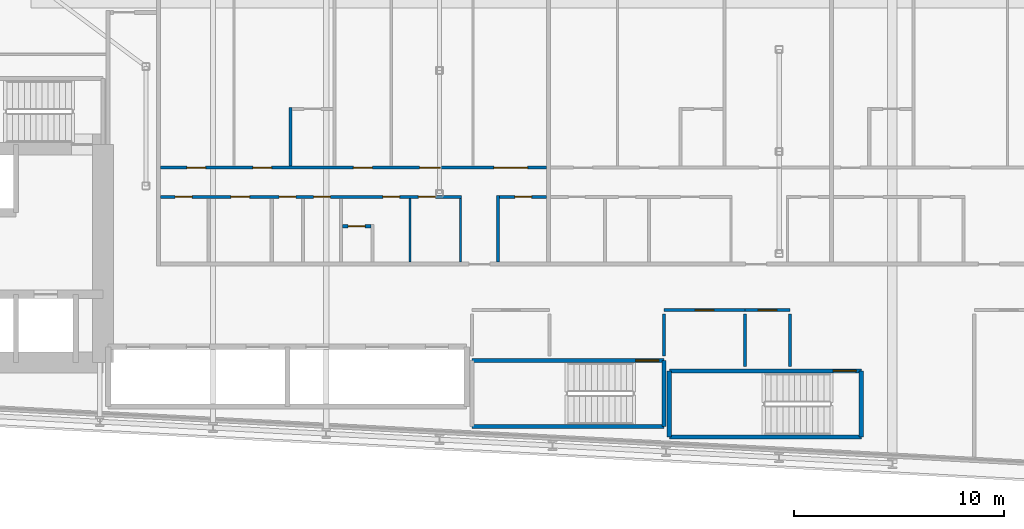
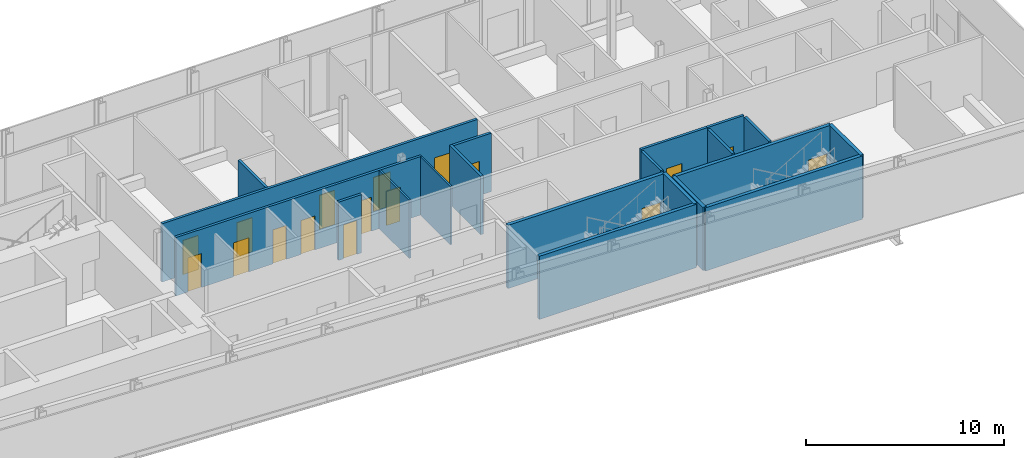
# One storey, part 16 of 29: 20 walls, 17 doors, 17 openings.
"""IFC4 building model written with IfcOpenShell, lengths in metres."""

from ifc_helpers import new_model, si_unit, direction, frame, frame_2d, origin, place, context, subcontext, project, spatial, rectangle, extrude, source, transform, mapped, material, layer, layer_set, type_object, element, fill, save


model = new_model("IFC4")

# Units and contexts
model_context = context("Model", 3, precision=1e-05, world=origin(), true_north=direction((0.0, 1.0)))
body_context = subcontext(model_context, "Body", "Model", "MODEL_VIEW")
ifc_project = project(units=[si_unit("LENGTHUNIT", "METRE"), si_unit("AREAUNIT", "SQUARE_METRE"), si_unit("VOLUMEUNIT", "CUBIC_METRE"), si_unit("PLANEANGLEUNIT", "RADIAN"), si_unit("MASSUNIT", "GRAM", prefix="KILO")], contexts=[model_context])

# Site, building, storey
site_placement = place(None, origin())
site = spatial("IfcSite", under=ifc_project, at=site_placement, CompositionType="ELEMENT")
building_placement = place(site_placement, origin())
building = spatial("IfcBuilding", under=site, at=building_placement, Name="Kheshtan School and Residences Tower", CompositionType="ELEMENT")
storey_placement = place(building_placement, frame((0.0, 0.0, 61.699951171875)))
storey = spatial("IfcBuildingStorey", under=building, at=storey_placement, Name="L14", CompositionType="ELEMENT", Elevation=61.699951171875)

# Walls
ifc_material_1 = material(Name="Gypsum board on steel studs", Category="steel")
ifc_layer_1 = layer(ifc_material_1, 0.10009765625)
ifc_layer_set_1 = layer_set([ifc_layer_1], Name="Gypsum partition 100")
wall_type_1 = type_object("IfcWallType", Name="Gypsum partition 100", PredefinedType="PARTITIONING", material=ifc_layer_set_1)
for number, where, z_axis, x_axis, name in (
    (1, (67.800048828125, 30.60009765625, 0.0), (0.0, 0.0, 1.0), (0.0, 1.0, 0.0), "Partition L14-055"),
    (2, (70.199951171875, 30.60009765625, 0.0), (0.0, 0.0, 1.0), (0.0, 1.0, 0.0), "Partition L14-056"),
):
    element("IfcWall", number, at=place(storey_placement, frame(where, z_axis=z_axis, x_axis=x_axis)), inside=storey, type_object=wall_type_1, Name=name, PredefinedType="PARTITIONING", context=body_context, shape_type="SweptSolid", body=[
        extrude(rectangle(XDim=3.02490234375, YDim=0.10009765625, at=frame_2d((1.512451171875, 0.0))), origin(), (0.0, 0.0, 1.0), 3.60009765625),
    ])

# Wall, opening, door
ifc_material_2 = material(Name="Fire-board shaft wall system")
ifc_layer_2 = layer(ifc_material_2, 0.14990234375)
ifc_layer_set_2 = layer_set([ifc_layer_2], Name="Service room wall 150")
wall_type_2 = type_object("IfcWallType", Name="Service room wall 150", PredefinedType="PARTITIONING", material=ifc_layer_set_2)
wall_1_placement = place(storey_placement, frame((79.909912109375, 28.300048828125, 0.0), z_axis=(0.0, 0.0, 1.0), x_axis=(1.0, 0.0, 0.0)))
wall_1 = element("IfcWall", 3, at=wall_1_placement, inside=storey, type_object=wall_type_2, Name="Service room wall", PredefinedType="PARTITIONING", context=body_context, shape_type="SweptSolid", body=[
    extrude(rectangle(XDim=3.864990234375, YDim=0.14990234375, at=frame_2d((1.9326171875, 0.0))), origin(), (0.0, 0.0, 1.0), 3.900146484375),
])
opening_1_placement = place(wall_1_placement, frame((1.48193359375, 0.0, 0.0)))
opening_1 = element("IfcOpeningElement", 4, at=opening_1_placement, cuts=wall_1, Name="Opening SR90", PredefinedType="OPENING", context=body_context, shape_type="SweptSolid", body=[
    extrude(rectangle(XDim=0.89990234375, YDim=2.199951171875, at=frame_2d((0.449951171875, 1.10009765625))), frame((0.0, 0.0849609375, 0.0), z_axis=(0.0, -1.0, 0.0), x_axis=(1.0, 0.0, 0.0)), (0.0, 0.0, 1.0), 0.169921875),
])
ifc_material_3 = material(Name="Steel door leaf, galvanised", Category="steel")
door_type_1 = type_object("IfcDoorType", Name="Service room door 900 steel 90 min", OperationType="SINGLE_SWING_LEFT", PredefinedType="DOOR", material=ifc_material_3)
shared_shape_1 = source(origin(), body_context, "Body", "SweptSolid", [
    extrude(rectangle(XDim=0.89990234375, YDim=2.199951171875, at=frame_2d((0.449951171875, 1.10009765625))), frame((0.0, 0.02490234375, 0.0), z_axis=(0.0, -1.0, 0.0), x_axis=(1.0, 0.0, 0.0)), (0.0, 0.0, 1.0), 0.050048828125),
])
door_1_placement = place(opening_1_placement, origin())
door_1 = element("IfcDoor", 5, at=door_1_placement, inside=storey, type_object=door_type_1, Name="Service room door", OperationType="SINGLE_SWING_RIGHT", OverallHeight=2.199951171875, OverallWidth=0.89990234375, PredefinedType="DOOR", context=body_context, shape_type="MappedRepresentation", body=[
    mapped(shared_shape_1, transform((0.0, 0.0, 0.0), x_axis=(1.0, 0.0, 0.0), y_axis=(0.0, 1.0, 0.0), z_axis=(0.0, 0.0, 1.0), scale=1.0)),
])
fill(opening_1, door_1)

# Walls
wall_2_placement = place(storey_placement, frame((79.909912109375, 26.1201171875, 0.0), z_axis=(0.0, 0.0, 1.0), x_axis=(0.0, 1.0, 0.0)))
element("IfcWall", 6, at=wall_2_placement, inside=storey, type_object=wall_type_2, Name="Service room wall", PredefinedType="PARTITIONING", context=body_context, shape_type="SweptSolid", body=[
    extrude(rectangle(XDim=1.98486328125, YDim=0.14990234375, at=frame_2d((0.992431640625, 0.0))), origin(), (0.0, 0.0, 1.0), 3.900146484375),
])
wall_3_placement = place(storey_placement, frame((83.77490234375, 25.6201171875, 0.0), z_axis=(0.0, 0.0, 1.0), x_axis=(0.0, 1.0, 0.0)))
element("IfcWall", 7, at=wall_3_placement, inside=storey, type_object=wall_type_2, Name="Service room wall", PredefinedType="PARTITIONING", context=body_context, shape_type="SweptSolid", body=[
    extrude(rectangle(XDim=2.48486328125, YDim=0.14990234375, at=frame_2d((1.242431640625, 0.0))), origin(), (0.0, 0.0, 1.0), 3.900146484375),
])

# Wall, opening, door
wall_4_placement = place(storey_placement, frame((83.77490234375, 28.300048828125, 0.0), z_axis=(0.0, 0.0, 1.0), x_axis=(1.0, 0.0, 0.0)))
wall_4 = element("IfcWall", 8, at=wall_4_placement, inside=storey, type_object=wall_type_2, Name="Service room wall", PredefinedType="PARTITIONING", context=body_context, shape_type="SweptSolid", body=[
    extrude(rectangle(XDim=2.14501953125, YDim=0.14990234375, at=frame_2d((1.072509765625, 0.0))), origin(), (0.0, 0.0, 1.0), 3.900146484375),
])
opening_2_placement = place(wall_4_placement, frame((0.623046875, 0.0, 0.0)))
opening_2 = element("IfcOpeningElement", 9, at=opening_2_placement, cuts=wall_4, Name="Opening SR90", PredefinedType="OPENING", context=body_context, shape_type="SweptSolid", body=[
    extrude(rectangle(XDim=0.89990234375, YDim=2.199951171875, at=frame_2d((0.449951171875, 1.10009765625))), frame((0.0, 0.0849609375, 0.0), z_axis=(0.0, -1.0, 0.0), x_axis=(1.0, 0.0, 0.0)), (0.0, 0.0, 1.0), 0.169921875),
])
door_2_placement = place(opening_2_placement, origin())
door_2 = element("IfcDoor", 10, at=door_2_placement, inside=storey, type_object=door_type_1, Name="Service room door", OperationType="SINGLE_SWING_LEFT", OverallHeight=2.199951171875, OverallWidth=0.89990234375, PredefinedType="DOOR", context=body_context, shape_type="MappedRepresentation", body=[
    mapped(shared_shape_1, transform((0.0, 0.0, 0.0), x_axis=(1.0, 0.0, 0.0), y_axis=(0.0, 1.0, 0.0), z_axis=(0.0, 0.0, 1.0), scale=1.0)),
])
fill(opening_2, door_2)

# Walls
wall_5_placement = place(storey_placement, frame((85.919921875, 25.6201171875, 0.0), z_axis=(0.0, 0.0, 1.0), x_axis=(0.0, 1.0, 0.0)))
element("IfcWall", 11, at=wall_5_placement, inside=storey, type_object=wall_type_2, Name="Service room wall", PredefinedType="PARTITIONING", context=body_context, shape_type="SweptSolid", body=[
    extrude(rectangle(XDim=2.48486328125, YDim=0.14990234375, at=frame_2d((1.242431640625, 0.0))), origin(), (0.0, 0.0, 1.0), 3.900146484375),
])
ifc_material_4 = material(Name="Concrete C40/50", Category="concrete")
ifc_layer_3 = layer(ifc_material_4, 0.199951171875)
ifc_layer_set_3 = layer_set([ifc_layer_3], Name="Stair enclosure wall 200 Concrete C40/50")
wall_type_3 = type_object("IfcWallType", Name="Stair enclosure wall 200 Concrete C40/50", PredefinedType="SHEAR", material=ifc_layer_set_3)
wall_6_placement = place(storey_placement, frame((80.159912109375, 22.25, 0.0), z_axis=(0.0, 0.0, 1.0), x_axis=(1.0, 0.0, 0.0)))
element("IfcWall", 12, at=wall_6_placement, inside=storey, type_object=wall_type_3, Name="Stair enclosure wall ST4", PredefinedType="SHEAR", context=body_context, shape_type="SweptSolid", body=[
    extrude(rectangle(XDim=9.16015625, YDim=0.199951171875, at=frame_2d((4.580078125, 0.0))), origin(), (0.0, 0.0, 1.0), 3.900146484375),
])

# Wall, opening, door
wall_7_placement = place(storey_placement, frame((80.159912109375, 25.39990234375, 0.0), z_axis=(0.0, 0.0, 1.0), x_axis=(1.0, 0.0, 0.0)))
wall_7 = element("IfcWall", 13, at=wall_7_placement, inside=storey, type_object=wall_type_3, Name="Stair enclosure wall ST4", PredefinedType="SHEAR", context=body_context, shape_type="SweptSolid", body=[
    extrude(rectangle(XDim=9.16015625, YDim=0.199951171875, at=frame_2d((4.580078125, 0.0))), origin(), (0.0, 0.0, 1.0), 3.900146484375),
])
opening_3_placement = place(wall_7_placement, frame((7.81005859375, 0.0, 0.0)))
opening_3 = element("IfcOpeningElement", 14, at=opening_3_placement, cuts=wall_7, Name="Opening ST4D", PredefinedType="OPENING", context=body_context, shape_type="SweptSolid", body=[
    extrude(rectangle(XDim=1.10009765625, YDim=2.199951171875, at=frame_2d((0.550048828125, 1.10009765625))), frame((0.0, 0.10986328125, 0.0), z_axis=(0.0, -1.0, 0.0), x_axis=(1.0, 0.0, 0.0)), (0.0, 0.0, 1.0), 0.219970703125),
])
door_type_2 = type_object("IfcDoorType", Name="Stair door 1100 steel 90 min", OperationType="SINGLE_SWING_LEFT", PredefinedType="DOOR", material=ifc_material_3)
shared_shape_2 = source(origin(), body_context, "Body", "SweptSolid", [
    extrude(rectangle(XDim=1.10009765625, YDim=2.199951171875, at=frame_2d((0.550048828125, 1.10009765625))), frame((0.0, 0.02490234375, 0.0), z_axis=(0.0, -1.0, 0.0), x_axis=(1.0, 0.0, 0.0)), (0.0, 0.0, 1.0), 0.050048828125),
])
door_3_placement = place(opening_3_placement, origin())
door_3 = element("IfcDoor", 15, at=door_3_placement, inside=storey, type_object=door_type_2, Name="Stair ST4 door", OperationType="SINGLE_SWING_LEFT", OverallHeight=2.199951171875, OverallWidth=1.10009765625, PredefinedType="DOOR", context=body_context, shape_type="MappedRepresentation", body=[
    mapped(shared_shape_2, transform((0.0, 0.0, 0.0), x_axis=(1.0, 0.0, 0.0), y_axis=(0.0, 1.0, 0.0), z_axis=(0.0, 0.0, 1.0), scale=1.0)),
])
fill(opening_3, door_3)

# Walls
for number, where, z_axis, x_axis, name in (
    (16, (80.159912109375, 22.25, 0.0), (0.0, 0.0, 1.0), (0.0, 1.0, 0.0), "Stair enclosure wall ST4"),
    (17, (89.320068359375, 22.25, 0.0), (0.0, 0.0, 1.0), (0.0, 1.0, 0.0), "Stair enclosure wall ST4"),
):
    element("IfcWall", number, at=place(storey_placement, frame(where, z_axis=z_axis, x_axis=x_axis)), inside=storey, type_object=wall_type_3, Name=name, PredefinedType="SHEAR", context=body_context, shape_type="SweptSolid", body=[
        extrude(rectangle(XDim=3.14990234375, YDim=0.199951171875, at=frame_2d((1.574951171875, 0.0))), origin(), (0.0, 0.0, 1.0), 3.900146484375),
    ])
wall_8_placement = place(storey_placement, frame((70.75, 22.75, 0.0), z_axis=(0.0, 0.0, 1.0), x_axis=(1.0, 0.0, 0.0)))
element("IfcWall", 18, at=wall_8_placement, inside=storey, type_object=wall_type_3, Name="Stair enclosure wall ST5", PredefinedType="SHEAR", context=body_context, shape_type="SweptSolid", body=[
    extrude(rectangle(XDim=9.159912109375, YDim=0.199951171875, at=frame_2d((4.580078125, 0.0))), origin(), (0.0, 0.0, 1.0), 3.900146484375),
])

# Wall, opening, door
wall_9_placement = place(storey_placement, frame((70.75, 25.89990234375, 0.0), z_axis=(0.0, 0.0, 1.0), x_axis=(1.0, 0.0, 0.0)))
wall_9 = element("IfcWall", 19, at=wall_9_placement, inside=storey, type_object=wall_type_3, Name="Stair enclosure wall ST5", PredefinedType="SHEAR", context=body_context, shape_type="SweptSolid", body=[
    extrude(rectangle(XDim=9.159912109375, YDim=0.199951171875, at=frame_2d((4.580078125, 0.0))), origin(), (0.0, 0.0, 1.0), 3.900146484375),
])
opening_4_placement = place(wall_9_placement, frame((7.81005859375, 0.0, 0.0)))
opening_4 = element("IfcOpeningElement", 20, at=opening_4_placement, cuts=wall_9, Name="Opening ST5D", PredefinedType="OPENING", context=body_context, shape_type="SweptSolid", body=[
    extrude(rectangle(XDim=1.10009765625, YDim=2.199951171875, at=frame_2d((0.550048828125, 1.10009765625))), frame((0.0, 0.10986328125, 0.0), z_axis=(0.0, -1.0, 0.0), x_axis=(1.0, 0.0, 0.0)), (0.0, 0.0, 1.0), 0.219970703125),
])
door_4_placement = place(opening_4_placement, origin())
door_4 = element("IfcDoor", 21, at=door_4_placement, inside=storey, type_object=door_type_2, Name="Stair ST5 door", OperationType="SINGLE_SWING_LEFT", OverallHeight=2.199951171875, OverallWidth=1.10009765625, PredefinedType="DOOR", context=body_context, shape_type="MappedRepresentation", body=[
    mapped(shared_shape_2, transform((0.0, 0.0, 0.0), x_axis=(1.0, 0.0, 0.0), y_axis=(0.0, 1.0, 0.0), z_axis=(0.0, 0.0, 1.0), scale=1.0)),
])
fill(opening_4, door_4)

# Wall
wall_10_placement = place(storey_placement, frame((79.909912109375, 22.75, 0.0), z_axis=(0.0, 0.0, 1.0), x_axis=(0.0, 1.0, 0.0)))
element("IfcWall", 22, at=wall_10_placement, inside=storey, type_object=wall_type_3, Name="Stair enclosure wall ST5", PredefinedType="SHEAR", context=body_context, shape_type="SweptSolid", body=[
    extrude(rectangle(XDim=3.14990234375, YDim=0.199951171875, at=frame_2d((1.574951171875, 0.0))), origin(), (0.0, 0.0, 1.0), 3.900146484375),
])

# Wall, openings, doors
ifc_material_5 = material(Name="Moisture-resistant gypsum board on steel studs", Category="steel")
ifc_layer_4 = layer(ifc_material_5, 0.14990234375)
ifc_layer_set_4 = layer_set([ifc_layer_4], Name="Wet-room partition 150")
wall_type_4 = type_object("IfcWallType", Name="Wet-room partition 150", PredefinedType="PARTITIONING", material=ifc_layer_set_4)
wall_11_placement = place(storey_placement, frame((55.89990234375, 33.699951171875, 0.0), z_axis=(0.0, 0.0, 1.0), x_axis=(1.0, 0.0, 0.0)))
wall_11 = element("IfcWall", 23, at=wall_11_placement, inside=storey, type_object=wall_type_4, Name="Partition L14-042", PredefinedType="PARTITIONING", context=body_context, shape_type="SweptSolid", body=[
    extrude(rectangle(XDim=14.35009765625, YDim=0.14990234375, at=frame_2d((7.175048828125, 0.0))), origin(), (0.0, 0.0, 1.0), 3.60009765625),
])
opening_5_placement = place(wall_11_placement, frame((0.699951171875, 0.0, 0.0)))
opening_5 = element("IfcOpeningElement", 24, at=opening_5_placement, cuts=wall_11, Name="Opening D14-001", PredefinedType="OPENING", context=body_context, shape_type="SweptSolid", body=[
    extrude(rectangle(XDim=0.800048828125, YDim=2.10009765625, at=frame_2d((0.39990234375, 1.050048828125))), frame((0.0, 0.0849609375, 0.0), z_axis=(0.0, -1.0, 0.0), x_axis=(1.0, 0.0, 0.0)), (0.0, 0.0, 1.0), 0.169921875),
])
opening_6_placement = place(wall_11_placement, frame((12.300048828125, 0.0, 0.0)))
opening_6 = element("IfcOpeningElement", 25, at=opening_6_placement, cuts=wall_11, Name="Opening D14-005", PredefinedType="OPENING", context=body_context, shape_type="SweptSolid", body=[
    extrude(rectangle(XDim=0.800048828125, YDim=2.10009765625, at=frame_2d((0.39990234375, 1.050048828125))), frame((0.0, 0.0849609375, 0.0), z_axis=(0.0, -1.0, 0.0), x_axis=(1.0, 0.0, 0.0)), (0.0, 0.0, 1.0), 0.169921875),
])
opening_7_placement = place(wall_11_placement, frame((3.35009765625, 0.0, 0.0)))
opening_7 = element("IfcOpeningElement", 26, at=opening_7_placement, cuts=wall_11, Name="Opening D14-008", PredefinedType="OPENING", context=body_context, shape_type="SweptSolid", body=[
    extrude(rectangle(XDim=0.89990234375, YDim=2.10009765625, at=frame_2d((0.449951171875, 1.050048828125))), frame((0.0, 0.0849609375, 0.0), z_axis=(0.0, -1.0, 0.0), x_axis=(1.0, 0.0, 0.0)), (0.0, 0.0, 1.0), 0.169921875),
])
opening_8_placement = place(wall_11_placement, frame((10.60009765625, 0.0, 0.0)))
opening_8 = element("IfcOpeningElement", 27, at=opening_8_placement, cuts=wall_11, Name="Opening D14-010", PredefinedType="OPENING", context=body_context, shape_type="SweptSolid", body=[
    extrude(rectangle(XDim=0.800048828125, YDim=2.10009765625, at=frame_2d((0.39990234375, 1.050048828125))), frame((0.0, 0.0849609375, 0.0), z_axis=(0.0, -1.0, 0.0), x_axis=(1.0, 0.0, 0.0)), (0.0, 0.0, 1.0), 0.169921875),
])
opening_9_placement = place(wall_11_placement, frame((7.300048828125, 0.0, 0.0)))
opening_9 = element("IfcOpeningElement", 28, at=opening_9_placement, cuts=wall_11, Name="Opening D14-014", PredefinedType="OPENING", context=body_context, shape_type="SweptSolid", body=[
    extrude(rectangle(XDim=0.800048828125, YDim=2.10009765625, at=frame_2d((0.39990234375, 1.050048828125))), frame((0.0, 0.0849609375, 0.0), z_axis=(0.0, -1.0, 0.0), x_axis=(1.0, 0.0, 0.0)), (0.0, 0.0, 1.0), 0.169921875),
])
opening_10_placement = place(wall_11_placement, frame((5.64990234375, 0.0, 0.0)))
opening_10 = element("IfcOpeningElement", 29, at=opening_10_placement, cuts=wall_11, Name="Opening D14-015", PredefinedType="OPENING", context=body_context, shape_type="SweptSolid", body=[
    extrude(rectangle(XDim=0.800048828125, YDim=2.10009765625, at=frame_2d((0.39990234375, 1.050048828125))), frame((0.0, 0.0849609375, 0.0), z_axis=(0.0, -1.0, 0.0), x_axis=(1.0, 0.0, 0.0)), (0.0, 0.0, 1.0), 0.169921875),
])
ifc_material_6 = material(Name="Veneered timber door leaf", Category="wood")
door_type_3 = type_object("IfcDoorType", Name="Door 800 x 2100", OperationType="SINGLE_SWING_LEFT", PredefinedType="DOOR", material=ifc_material_6)
shared_shape_3 = source(origin(), body_context, "Body", "SweptSolid", [
    extrude(rectangle(XDim=0.800048828125, YDim=2.10009765625, at=frame_2d((0.39990234375, 1.050048828125))), frame((0.0, 0.02490234375, 0.0), z_axis=(0.0, -1.0, 0.0), x_axis=(1.0, 0.0, 0.0)), (0.0, 0.0, 1.0), 0.050048828125),
])
door_5_placement = place(opening_5_placement, origin())
door_5 = element("IfcDoor", 30, at=door_5_placement, inside=storey, type_object=door_type_3, Name="Door D14-001", OperationType="SINGLE_SWING_RIGHT", OverallHeight=2.10009765625, OverallWidth=0.800048828125, PredefinedType="DOOR", context=body_context, shape_type="MappedRepresentation", body=[
    mapped(shared_shape_3, transform((0.0, 0.0, 0.0), x_axis=(1.0, 0.0, 0.0), y_axis=(0.0, 1.0, 0.0), z_axis=(0.0, 0.0, 1.0), scale=1.0)),
])
fill(opening_5, door_5)
door_6_placement = place(opening_6_placement, origin())
door_6 = element("IfcDoor", 31, at=door_6_placement, inside=storey, type_object=door_type_3, Name="Door D14-005", OperationType="SINGLE_SWING_RIGHT", OverallHeight=2.10009765625, OverallWidth=0.800048828125, PredefinedType="DOOR", context=body_context, shape_type="MappedRepresentation", body=[
    mapped(shared_shape_3, transform((0.0, 0.0, 0.0), x_axis=(1.0, 0.0, 0.0), y_axis=(0.0, 1.0, 0.0), z_axis=(0.0, 0.0, 1.0), scale=1.0)),
])
fill(opening_6, door_6)
door_7_placement = place(opening_8_placement, origin())
door_7 = element("IfcDoor", 32, at=door_7_placement, inside=storey, type_object=door_type_3, Name="Door D14-010", OperationType="SINGLE_SWING_LEFT", OverallHeight=2.10009765625, OverallWidth=0.800048828125, PredefinedType="DOOR", context=body_context, shape_type="MappedRepresentation", body=[
    mapped(shared_shape_3, transform((0.0, 0.0, 0.0), x_axis=(1.0, 0.0, 0.0), y_axis=(0.0, 1.0, 0.0), z_axis=(0.0, 0.0, 1.0), scale=1.0)),
])
fill(opening_8, door_7)
door_8_placement = place(opening_9_placement, origin())
door_8 = element("IfcDoor", 33, at=door_8_placement, inside=storey, type_object=door_type_3, Name="Door D14-014", OperationType="SINGLE_SWING_RIGHT", OverallHeight=2.10009765625, OverallWidth=0.800048828125, PredefinedType="DOOR", context=body_context, shape_type="MappedRepresentation", body=[
    mapped(shared_shape_3, transform((0.0, 0.0, 0.0), x_axis=(1.0, 0.0, 0.0), y_axis=(0.0, 1.0, 0.0), z_axis=(0.0, 0.0, 1.0), scale=1.0)),
])
fill(opening_9, door_8)
door_9_placement = place(opening_10_placement, origin())
door_9 = element("IfcDoor", 34, at=door_9_placement, inside=storey, type_object=door_type_3, Name="Door D14-015", OperationType="SINGLE_SWING_LEFT", OverallHeight=2.10009765625, OverallWidth=0.800048828125, PredefinedType="DOOR", context=body_context, shape_type="MappedRepresentation", body=[
    mapped(shared_shape_3, transform((0.0, 0.0, 0.0), x_axis=(1.0, 0.0, 0.0), y_axis=(0.0, 1.0, 0.0), z_axis=(0.0, 0.0, 1.0), scale=1.0)),
])
fill(opening_10, door_9)
door_type_4 = type_object("IfcDoorType", Name="Door 900 x 2100", OperationType="SINGLE_SWING_LEFT", PredefinedType="DOOR", material=ifc_material_6)
shared_shape_4 = source(origin(), body_context, "Body", "SweptSolid", [
    extrude(rectangle(XDim=0.89990234375, YDim=2.10009765625, at=frame_2d((0.449951171875, 1.050048828125))), frame((0.0, 0.02490234375, 0.0), z_axis=(0.0, -1.0, 0.0), x_axis=(1.0, 0.0, 0.0)), (0.0, 0.0, 1.0), 0.050048828125),
])
door_10_placement = place(opening_7_placement, origin())
door_10 = element("IfcDoor", 35, at=door_10_placement, inside=storey, type_object=door_type_4, Name="Door D14-008", OperationType="SINGLE_SWING_LEFT", OverallHeight=2.10009765625, OverallWidth=0.89990234375, PredefinedType="DOOR", context=body_context, shape_type="MappedRepresentation", body=[
    mapped(shared_shape_4, transform((0.0, 0.0, 0.0), x_axis=(1.0, 0.0, 0.0), y_axis=(0.0, 1.0, 0.0), z_axis=(0.0, 0.0, 1.0), scale=1.0)),
])
fill(opening_7, door_10)

wall_12_placement = place(storey_placement, frame((55.89990234375, 35.10009765625, 0.0), z_axis=(0.0, 0.0, 1.0), x_axis=(1.0, 0.0, 0.0)))
wall_12 = element("IfcWall", 36, at=wall_12_placement, inside=storey, type_object=wall_type_4, Name="Partition L14-043", PredefinedType="PARTITIONING", context=body_context, shape_type="SweptSolid", body=[
    extrude(rectangle(XDim=18.400146484375, YDim=0.14990234375, at=frame_2d((9.2001953125, 0.0))), origin(), (0.0, 0.0, 1.0), 3.60009765625),
])
opening_11_placement = place(wall_12_placement, frame((1.25, 0.0, 0.0)))
opening_11 = element("IfcOpeningElement", 37, at=opening_11_placement, cuts=wall_12, Name="Opening D14-003", PredefinedType="OPENING", context=body_context, shape_type="SweptSolid", body=[
    extrude(rectangle(XDim=0.89990234375, YDim=2.10009765625, at=frame_2d((0.449951171875, 1.050048828125))), frame((0.0, 0.0849609375, 0.0), z_axis=(0.0, -1.0, 0.0), x_axis=(1.0, 0.0, 0.0)), (0.0, 0.0, 1.0), 0.169921875),
])
opening_12_placement = place(wall_12_placement, frame((9.199951171875, 0.0, 0.0)))
opening_12 = element("IfcOpeningElement", 38, at=opening_12_placement, cuts=wall_12, Name="Opening D14-004", PredefinedType="OPENING", context=body_context, shape_type="SweptSolid", body=[
    extrude(rectangle(XDim=0.89990234375, YDim=2.10009765625, at=frame_2d((0.449951171875, 1.050048828125))), frame((0.0, 0.0849609375, 0.0), z_axis=(0.0, -1.0, 0.0), x_axis=(1.0, 0.0, 0.0)), (0.0, 0.0, 1.0), 0.169921875),
])
opening_13_placement = place(wall_12_placement, frame((12.35009765625, 0.0, 0.0)))
opening_13 = element("IfcOpeningElement", 39, at=opening_13_placement, cuts=wall_12, Name="Opening D14-009", PredefinedType="OPENING", context=body_context, shape_type="SweptSolid", body=[
    extrude(rectangle(XDim=1.0, YDim=2.10009765625, at=frame_2d((0.5, 1.050048828125))), frame((0.0, 0.0849609375, 0.0), z_axis=(0.0, -1.0, 0.0), x_axis=(1.0, 0.0, 0.0)), (0.0, 0.0, 1.0), 0.169921875),
])
opening_14_placement = place(wall_12_placement, frame((15.89990234375, 0.0, 0.0)))
opening_14 = element("IfcOpeningElement", 40, at=opening_14_placement, cuts=wall_12, Name="Opening D14-012", PredefinedType="OPENING", context=body_context, shape_type="SweptSolid", body=[
    extrude(rectangle(XDim=1.60009765625, YDim=2.10009765625, at=frame_2d((0.800048828125, 1.050048828125))), frame((0.0, 0.0849609375, 0.0), z_axis=(0.0, -1.0, 0.0), x_axis=(1.0, 0.0, 0.0)), (0.0, 0.0, 1.0), 0.169921875),
])
opening_15_placement = place(wall_12_placement, frame((4.39990234375, 0.0, 0.0)))
opening_15 = element("IfcOpeningElement", 41, at=opening_15_placement, cuts=wall_12, Name="Opening D14-013", PredefinedType="OPENING", context=body_context, shape_type="SweptSolid", body=[
    extrude(rectangle(XDim=0.89990234375, YDim=2.10009765625, at=frame_2d((0.449951171875, 1.050048828125))), frame((0.0, 0.0849609375, 0.0), z_axis=(0.0, -1.0, 0.0), x_axis=(1.0, 0.0, 0.0)), (0.0, 0.0, 1.0), 0.169921875),
])
door_type_5 = type_object("IfcDoorType", Name="Door 1000 x 2100", OperationType="SINGLE_SWING_LEFT", PredefinedType="DOOR", material=ifc_material_6)
shared_shape_5 = source(origin(), body_context, "Body", "SweptSolid", [
    extrude(rectangle(XDim=1.0, YDim=2.10009765625, at=frame_2d((0.5, 1.050048828125))), frame((0.0, 0.02490234375, 0.0), z_axis=(0.0, -1.0, 0.0), x_axis=(1.0, 0.0, 0.0)), (0.0, 0.0, 1.0), 0.050048828125),
])
door_11_placement = place(opening_13_placement, origin())
door_11 = element("IfcDoor", 42, at=door_11_placement, inside=storey, type_object=door_type_5, Name="Door D14-009", OperationType="SINGLE_SWING_LEFT", OverallHeight=2.10009765625, OverallWidth=1.0, PredefinedType="DOOR", context=body_context, shape_type="MappedRepresentation", body=[
    mapped(shared_shape_5, transform((0.0, 0.0, 0.0), x_axis=(1.0, 0.0, 0.0), y_axis=(0.0, 1.0, 0.0), z_axis=(0.0, 0.0, 1.0), scale=1.0)),
])
fill(opening_13, door_11)
door_12_placement = place(opening_11_placement, origin())
door_12 = element("IfcDoor", 43, at=door_12_placement, inside=storey, type_object=door_type_4, Name="Door D14-003", OperationType="SINGLE_SWING_LEFT", OverallHeight=2.10009765625, OverallWidth=0.89990234375, PredefinedType="DOOR", context=body_context, shape_type="MappedRepresentation", body=[
    mapped(shared_shape_4, transform((0.0, 0.0, 0.0), x_axis=(1.0, 0.0, 0.0), y_axis=(0.0, 1.0, 0.0), z_axis=(0.0, 0.0, 1.0), scale=1.0)),
])
fill(opening_11, door_12)
door_13_placement = place(opening_12_placement, origin())
door_13 = element("IfcDoor", 44, at=door_13_placement, inside=storey, type_object=door_type_4, Name="Door D14-004", OperationType="SINGLE_SWING_RIGHT", OverallHeight=2.10009765625, OverallWidth=0.89990234375, PredefinedType="DOOR", context=body_context, shape_type="MappedRepresentation", body=[
    mapped(shared_shape_4, transform((0.0, 0.0, 0.0), x_axis=(1.0, 0.0, 0.0), y_axis=(0.0, 1.0, 0.0), z_axis=(0.0, 0.0, 1.0), scale=1.0)),
])
fill(opening_12, door_13)
door_14_placement = place(opening_15_placement, origin())
door_14 = element("IfcDoor", 45, at=door_14_placement, inside=storey, type_object=door_type_4, Name="Door D14-013", OperationType="SINGLE_SWING_LEFT", OverallHeight=2.10009765625, OverallWidth=0.89990234375, PredefinedType="DOOR", context=body_context, shape_type="MappedRepresentation", body=[
    mapped(shared_shape_4, transform((0.0, 0.0, 0.0), x_axis=(1.0, 0.0, 0.0), y_axis=(0.0, 1.0, 0.0), z_axis=(0.0, 0.0, 1.0), scale=1.0)),
])
fill(opening_15, door_14)
door_type_6 = type_object("IfcDoorType", Name="Double door 1600 x 2100", OperationType="DOUBLE_DOOR_SINGLE_SWING", PredefinedType="DOOR", material=ifc_material_6)
shared_shape_6 = source(origin(), body_context, "Body", "SweptSolid", [
    extrude(rectangle(XDim=1.60009765625, YDim=2.10009765625, at=frame_2d((0.800048828125, 1.050048828125))), frame((0.0, 0.02490234375, 0.0), z_axis=(0.0, -1.0, 0.0), x_axis=(1.0, 0.0, 0.0)), (0.0, 0.0, 1.0), 0.050048828125),
])
door_15_placement = place(opening_14_placement, origin())
door_15 = element("IfcDoor", 46, at=door_15_placement, inside=storey, type_object=door_type_6, Name="Door D14-012", OperationType="DOUBLE_DOOR_SINGLE_SWING", OverallHeight=2.10009765625, OverallWidth=1.60009765625, PredefinedType="DOOR", context=body_context, shape_type="MappedRepresentation", body=[
    mapped(shared_shape_6, transform((0.0, 0.0, 0.0), x_axis=(1.0, 0.0, 0.0), y_axis=(0.0, 1.0, 0.0), z_axis=(0.0, 0.0, 1.0), scale=1.0)),
])
fill(opening_14, door_15)

# Wall
wall_13_placement = place(storey_placement, frame((62.10009765625, 35.175048828125, 0.0), z_axis=(0.0, 0.0, 1.0), x_axis=(0.0, 1.0, 0.0)))
element("IfcWall", 47, at=wall_13_placement, inside=storey, type_object=wall_type_4, Name="Partition L14-047", PredefinedType="PARTITIONING", context=body_context, shape_type="SweptSolid", body=[
    extrude(rectangle(XDim=2.800048828125, YDim=0.14990234375, at=frame_2d((1.39990234375, 0.0))), origin(), (0.0, 0.0, 1.0), 3.60009765625),
])

# Wall, opening, door
wall_14_placement = place(storey_placement, frame((64.574951171875, 32.300048828125, 0.0), z_axis=(0.0, 0.0, 1.0), x_axis=(1.0, 0.0, 0.0)))
wall_14 = element("IfcWall", 48, at=wall_14_placement, inside=storey, type_object=wall_type_4, Name="Partition L14-052", PredefinedType="PARTITIONING", context=body_context, shape_type="SweptSolid", body=[
    extrude(rectangle(XDim=1.35009765625, YDim=0.14990234375, at=frame_2d((0.675048828125, 0.0))), origin(), (0.0, 0.0, 1.0), 3.60009765625),
])
opening_16_placement = place(wall_14_placement, frame((0.27490234375, 0.0, 0.0)))
opening_16 = element("IfcOpeningElement", 49, at=opening_16_placement, cuts=wall_14, Name="Opening D14-011", PredefinedType="OPENING", context=body_context, shape_type="SweptSolid", body=[
    extrude(rectangle(XDim=0.800048828125, YDim=2.10009765625, at=frame_2d((0.39990234375, 1.050048828125))), frame((0.0, 0.0849609375, 0.0), z_axis=(0.0, -1.0, 0.0), x_axis=(1.0, 0.0, 0.0)), (0.0, 0.0, 1.0), 0.169921875),
])
door_16_placement = place(opening_16_placement, origin())
door_16 = element("IfcDoor", 50, at=door_16_placement, inside=storey, type_object=door_type_3, Name="Door D14-011", OperationType="SINGLE_SWING_RIGHT", OverallHeight=2.10009765625, OverallWidth=0.800048828125, PredefinedType="DOOR", context=body_context, shape_type="MappedRepresentation", body=[
    mapped(shared_shape_3, transform((0.0, 0.0, 0.0), x_axis=(1.0, 0.0, 0.0), y_axis=(0.0, 1.0, 0.0), z_axis=(0.0, 0.0, 1.0), scale=1.0)),
])
fill(opening_16, door_16)

# Wall
wall_15_placement = place(storey_placement, frame((72.0, 30.60009765625, 0.0), z_axis=(0.0, 0.0, 1.0), x_axis=(0.0, 1.0, 0.0)))
element("IfcWall", 51, at=wall_15_placement, inside=storey, type_object=wall_type_4, Name="Partition L14-058", PredefinedType="PARTITIONING", context=body_context, shape_type="SweptSolid", body=[
    extrude(rectangle(XDim=3.1748046875, YDim=0.14990234375, at=frame_2d((1.58740234375, 0.0))), origin(), (0.0, 0.0, 1.0), 3.60009765625),
])

# Wall, opening, door
wall_16_placement = place(storey_placement, frame((72.074951171875, 33.699951171875, 0.0), z_axis=(0.0, 0.0, 1.0), x_axis=(1.0, 0.0, 0.0)))
wall_16 = element("IfcWall", 52, at=wall_16_placement, inside=storey, type_object=wall_type_4, Name="Partition L14-059", PredefinedType="PARTITIONING", context=body_context, shape_type="SweptSolid", body=[
    extrude(rectangle(XDim=2.22509765625, YDim=0.14990234375, at=frame_2d((1.112548828125, 0.0))), origin(), (0.0, 0.0, 1.0), 3.60009765625),
])
opening_17_placement = place(wall_16_placement, frame((0.72509765625, 0.0, 0.0)))
opening_17 = element("IfcOpeningElement", 53, at=opening_17_placement, cuts=wall_16, Name="Opening D14-002", PredefinedType="OPENING", context=body_context, shape_type="SweptSolid", body=[
    extrude(rectangle(XDim=0.800048828125, YDim=2.10009765625, at=frame_2d((0.39990234375, 1.050048828125))), frame((0.0, 0.0849609375, 0.0), z_axis=(0.0, -1.0, 0.0), x_axis=(1.0, 0.0, 0.0)), (0.0, 0.0, 1.0), 0.169921875),
])
door_17_placement = place(opening_17_placement, origin())
door_17 = element("IfcDoor", 54, at=door_17_placement, inside=storey, type_object=door_type_3, Name="Door D14-002", OperationType="SINGLE_SWING_RIGHT", OverallHeight=2.10009765625, OverallWidth=0.800048828125, PredefinedType="DOOR", context=body_context, shape_type="MappedRepresentation", body=[
    mapped(shared_shape_3, transform((0.0, 0.0, 0.0), x_axis=(1.0, 0.0, 0.0), y_axis=(0.0, 1.0, 0.0), z_axis=(0.0, 0.0, 1.0), scale=1.0)),
])
fill(opening_17, door_17)

save(model, "model.ifc")
